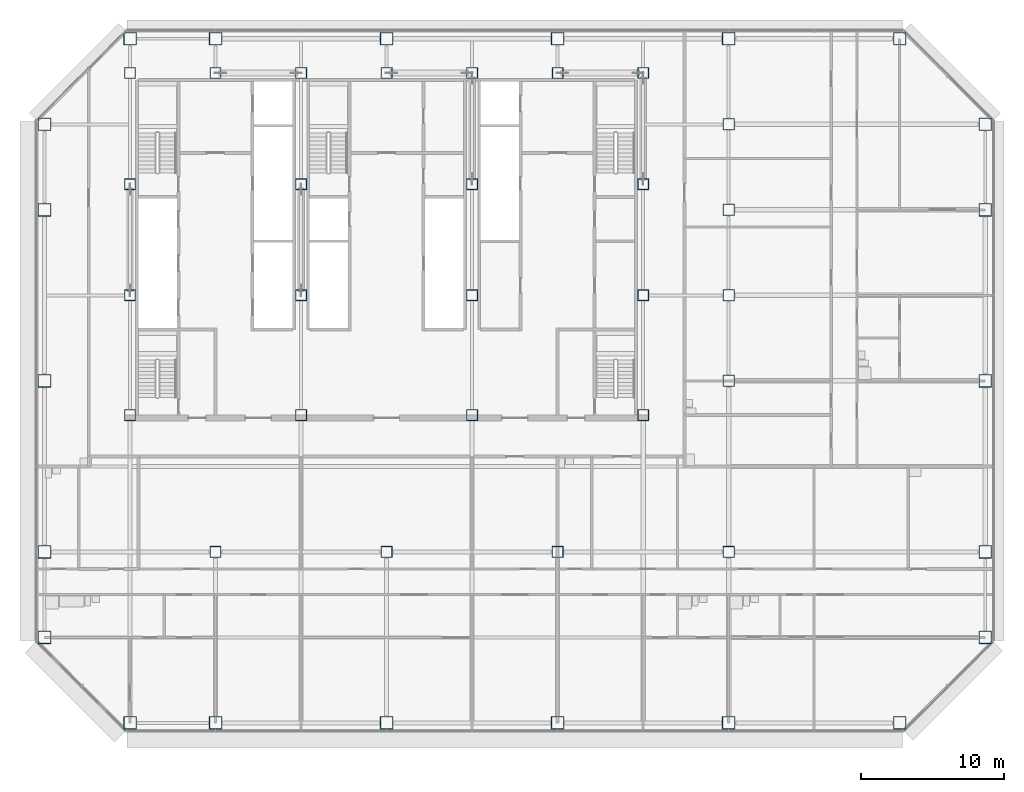
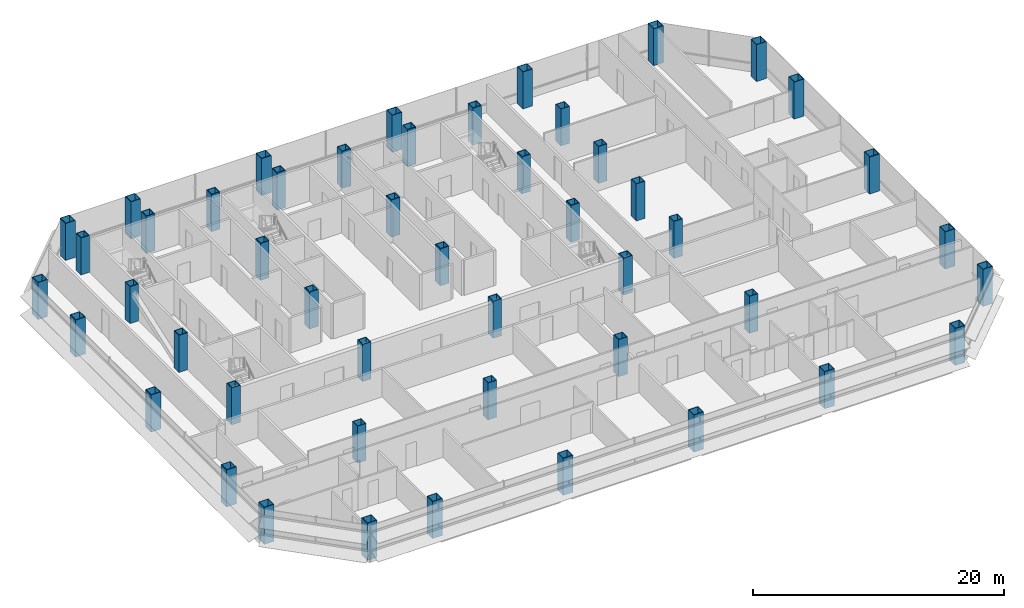
# One storey, part 1 of 27: 49 columns.
"""IFC4 building model written with IfcOpenShell, lengths in metres."""

from ifc_helpers import new_model, si_unit, direction, frame, origin, origin_2d, place, context, subcontext, project, spatial, hollow_rectangle, extrude, material, material_profile, profile_set, type_object, element, save


model = new_model("IFC4")

# Units and contexts
model_context = context("Model", 3, precision=1e-05, world=origin(), true_north=direction((0.0, 1.0)))
body_context = subcontext(model_context, "Body", "Model", "MODEL_VIEW")
ifc_project = project(units=[si_unit("LENGTHUNIT", "METRE"), si_unit("AREAUNIT", "SQUARE_METRE"), si_unit("VOLUMEUNIT", "CUBIC_METRE"), si_unit("PLANEANGLEUNIT", "RADIAN"), si_unit("MASSUNIT", "GRAM", prefix="KILO")], contexts=[model_context])

# Site, building, storey
site_placement = place(None, origin())
site = spatial("IfcSite", under=ifc_project, at=site_placement, CompositionType="ELEMENT")
building_placement = place(site_placement, origin())
building = spatial("IfcBuilding", under=site, at=building_placement, Name="Sorahane Residences", CompositionType="ELEMENT")
storey_placement = place(building_placement, frame((0.0, 0.0, 49.800048828125)))
storey = spatial("IfcBuildingStorey", under=building, at=storey_placement, Name="L08", CompositionType="ELEMENT", Elevation=49.800048828125)

# Columns
ifc_material_1 = material(Name="Steel Q355B", Category="steel")
ifc_material_profile_1 = material_profile(ifc_material_1, hollow_rectangle(XDim=0.800048828125, YDim=0.800048828125, WallThickness=0.0400390625, at=origin_2d()), Name="BOX 800x800x40")
ifc_profile_set_1 = profile_set([ifc_material_profile_1], Name="Steel Q355B")
column_type_1 = type_object("IfcColumnType", Name="Steel box column BOX 800x800x40 Q355B", PredefinedType="COLUMN", material=ifc_profile_set_1)
for number, where, z_axis, x_axis, name in (
    (1, (12.0, 12.0, 0.0), (0.0, 0.0, 1.0), (1.0, 0.0, 0.0), "Column L08 12/12"),
    (2, (24.0, 12.0, 0.0), (0.0, 0.0, 1.0), (1.0, 0.0, 0.0), "Column L08 24/12"),
    (3, (36.0, 12.0, 0.0), (0.0, 0.0, 1.0), (1.0, 0.0, 0.0), "Column L08 36/12"),
    (4, (48.0, 12.0, 0.0), (0.0, 0.0, 1.0), (1.0, 0.0, 0.0), "Column L08 48/12"),
    (5, (48.0, 24.0, 0.0), (0.0, 0.0, 1.0), (1.0, 0.0, 0.0), "Column L08 48/24"),
    (6, (48.0, 30.0, 0.0), (0.0, 0.0, 1.0), (1.0, 0.0, 0.0), "Column L08 48/30"),
    (7, (48.0, 36.0, 0.0), (0.0, 0.0, 1.0), (1.0, 0.0, 0.0), "Column L08 48/36"),
    (8, (48.0, 42.0, 0.0), (0.0, 0.0, 1.0), (1.0, 0.0, 0.0), "Column L08 48/42"),
):
    element("IfcColumn", number, at=place(storey_placement, frame(where, z_axis=z_axis, x_axis=x_axis)), inside=storey, type_object=column_type_1, Name=name, PredefinedType="COLUMN", context=body_context, shape_type="SweptSolid", body=[
        extrude(hollow_rectangle(XDim=0.800048828125, YDim=0.800048828125, WallThickness=0.0400390625, at=origin_2d()), origin(), (0.0, 0.0, 1.0), 3.599853515625),
    ])
ifc_material_2 = material(Name="Steel Q420GJ", Category="steel")
ifc_material_profile_2 = material_profile(ifc_material_2, hollow_rectangle(XDim=0.800048828125, YDim=0.800048828125, WallThickness=0.06005859375, at=origin_2d()), Name="BOX 800x800x60")
ifc_profile_set_2 = profile_set([ifc_material_profile_2], Name="Steel Q420GJ")
column_type_2 = type_object("IfcColumnType", Name="Steel box column BOX 800x800x60 Q420GJ", PredefinedType="COLUMN", material=ifc_profile_set_2)
for number, where, z_axis, x_axis, name in (
    (9, (6.0, 21.60009765625, 0.0), (0.0, 0.0, 1.0), (1.0, 0.0, 0.0), "Column L08 6/21.6"),
    (10, (6.0, 30.0, 0.0), (0.0, 0.0, 1.0), (1.0, 0.0, 0.0), "Column L08 6/30"),
    (11, (6.0, 37.800048828125, 0.0), (0.0, 0.0, 1.0), (1.0, 0.0, 0.0), "Column L08 6/37.8"),
    (12, (6.0, 45.60009765625, 0.0), (0.0, 0.0, 1.0), (1.0, 0.0, 0.0), "Column L08 6/45.6"),
    (13, (12.0, 45.60009765625, 0.0), (0.0, 0.0, 1.0), (1.0, 0.0, 0.0), "Column L08 12/45.6"),
    (14, (18.0, 21.60009765625, 0.0), (0.0, 0.0, 1.0), (1.0, 0.0, 0.0), "Column L08 18/21.6"),
    (15, (18.0, 30.0, 0.0), (0.0, 0.0, 1.0), (1.0, 0.0, 0.0), "Column L08 18/30"),
    (16, (18.0, 37.800048828125, 0.0), (0.0, 0.0, 1.0), (1.0, 0.0, 0.0), "Column L08 18/37.8"),
    (17, (18.0, 45.60009765625, 0.0), (0.0, 0.0, 1.0), (1.0, 0.0, 0.0), "Column L08 18/45.6"),
    (18, (24.0, 45.60009765625, 0.0), (0.0, 0.0, 1.0), (1.0, 0.0, 0.0), "Column L08 24/45.6"),
    (19, (30.0, 21.60009765625, 0.0), (0.0, 0.0, 1.0), (1.0, 0.0, 0.0), "Column L08 30/21.6"),
    (20, (30.0, 30.0, 0.0), (0.0, 0.0, 1.0), (1.0, 0.0, 0.0), "Column L08 30/30"),
    (21, (30.0, 37.800048828125, 0.0), (0.0, 0.0, 1.0), (1.0, 0.0, 0.0), "Column L08 30/37.8"),
    (22, (30.0, 45.60009765625, 0.0), (0.0, 0.0, 1.0), (1.0, 0.0, 0.0), "Column L08 30/45.6"),
    (23, (36.0, 45.60009765625, 0.0), (0.0, 0.0, 1.0), (1.0, 0.0, 0.0), "Column L08 36/45.6"),
    (24, (42.0, 21.60009765625, 0.0), (0.0, 0.0, 1.0), (1.0, 0.0, 0.0), "Column L08 42/21.6"),
    (25, (42.0, 30.0, 0.0), (0.0, 0.0, 1.0), (1.0, 0.0, 0.0), "Column L08 42/30"),
    (26, (42.0, 37.800048828125, 0.0), (0.0, 0.0, 1.0), (1.0, 0.0, 0.0), "Column L08 42/37.8"),
    (27, (42.0, 45.60009765625, 0.0), (0.0, 0.0, 1.0), (1.0, 0.0, 0.0), "Column L08 42/45.6"),
):
    element("IfcColumn", number, at=place(storey_placement, frame(where, z_axis=z_axis, x_axis=x_axis)), inside=storey, type_object=column_type_2, Name=name, PredefinedType="COLUMN", context=body_context, shape_type="SweptSolid", body=[
        extrude(hollow_rectangle(XDim=0.800048828125, YDim=0.800048828125, WallThickness=0.06005859375, at=origin_2d()), origin(), (0.0, 0.0, 1.0), 3.599853515625),
    ])
ifc_material_3 = material(Name="Steel Q420GJ", Category="steel")
ifc_material_profile_3 = material_profile(ifc_material_3, hollow_rectangle(XDim=0.89990234375, YDim=0.89990234375, WallThickness=0.044921875, at=origin_2d()), Name="BOX 900x900x45")
ifc_profile_set_3 = profile_set([ifc_material_profile_3], Name="Steel Q420GJ")
column_type_3 = type_object("IfcColumnType", Name="Steel box column BOX 900x900x45 Q420GJ", PredefinedType="COLUMN", material=ifc_profile_set_3)
for number, where, z_axis, x_axis, name in (
    (28, (0.0, 6.0, 0.0), (0.0, 0.0, 1.0), (1.0, 0.0, 0.0), "Column L08 m0/6"),
    (29, (0.0, 12.0, 0.0), (0.0, 0.0, 1.0), (1.0, 0.0, 0.0), "Column L08 m0/12"),
    (30, (0.0, 24.0, 0.0), (0.0, 0.0, 1.0), (1.0, 0.0, 0.0), "Column L08 m0/24"),
    (31, (0.0, 36.0, 0.0), (0.0, 0.0, 1.0), (1.0, 0.0, 0.0), "Column L08 m0/36"),
    (32, (0.0, 42.0, 0.0), (0.0, 0.0, 1.0), (1.0, 0.0, 0.0), "Column L08 m0/42"),
    (33, (6.0, 0.0, 0.0), (0.0, 0.0, 1.0), (1.0, 0.0, 0.0), "Column L08 6/0"),
    (34, (6.0, 48.0, 0.0), (0.0, 0.0, 1.0), (1.0, 0.0, 0.0), "Column L08 6/48"),
    (35, (12.0, 0.0, 0.0), (0.0, 0.0, 1.0), (1.0, 0.0, 0.0), "Column L08 12/0"),
    (36, (12.0, 48.0, 0.0), (0.0, 0.0, 1.0), (1.0, 0.0, 0.0), "Column L08 12/48"),
    (37, (24.0, 0.0, 0.0), (0.0, 0.0, 1.0), (1.0, 0.0, 0.0), "Column L08 24/0"),
    (38, (24.0, 48.0, 0.0), (0.0, 0.0, 1.0), (1.0, 0.0, 0.0), "Column L08 24/48"),
    (39, (36.0, 0.0, 0.0), (0.0, 0.0, 1.0), (1.0, 0.0, 0.0), "Column L08 36/0"),
    (40, (36.0, 48.0, 0.0), (0.0, 0.0, 1.0), (1.0, 0.0, 0.0), "Column L08 36/48"),
    (41, (48.0, 0.0, 0.0), (0.0, 0.0, 1.0), (1.0, 0.0, 0.0), "Column L08 48/0"),
    (42, (48.0, 48.0, 0.0), (0.0, 0.0, 1.0), (1.0, 0.0, 0.0), "Column L08 48/48"),
    (43, (60.0, 0.0, 0.0), (0.0, 0.0, 1.0), (1.0, 0.0, 0.0), "Column L08 60/0"),
    (44, (60.0, 48.0, 0.0), (0.0, 0.0, 1.0), (1.0, 0.0, 0.0), "Column L08 60/48"),
    (45, (66.0, 6.0, 0.0), (0.0, 0.0, 1.0), (1.0, 0.0, 0.0), "Column L08 66/6"),
    (46, (66.0, 12.0, 0.0), (0.0, 0.0, 1.0), (1.0, 0.0, 0.0), "Column L08 66/12"),
    (47, (66.0, 24.0, 0.0), (0.0, 0.0, 1.0), (1.0, 0.0, 0.0), "Column L08 66/24"),
    (48, (66.0, 36.0, 0.0), (0.0, 0.0, 1.0), (1.0, 0.0, 0.0), "Column L08 66/36"),
    (49, (66.0, 42.0, 0.0), (0.0, 0.0, 1.0), (1.0, 0.0, 0.0), "Column L08 66/42"),
):
    element("IfcColumn", number, at=place(storey_placement, frame(where, z_axis=z_axis, x_axis=x_axis)), inside=storey, type_object=column_type_3, Name=name, PredefinedType="COLUMN", context=body_context, shape_type="SweptSolid", body=[
        extrude(hollow_rectangle(XDim=0.89990234375, YDim=0.89990234375, WallThickness=0.044921875, at=origin_2d()), origin(), (0.0, 0.0, 1.0), 3.599853515625),
    ])

save(model, "model.ifc")
